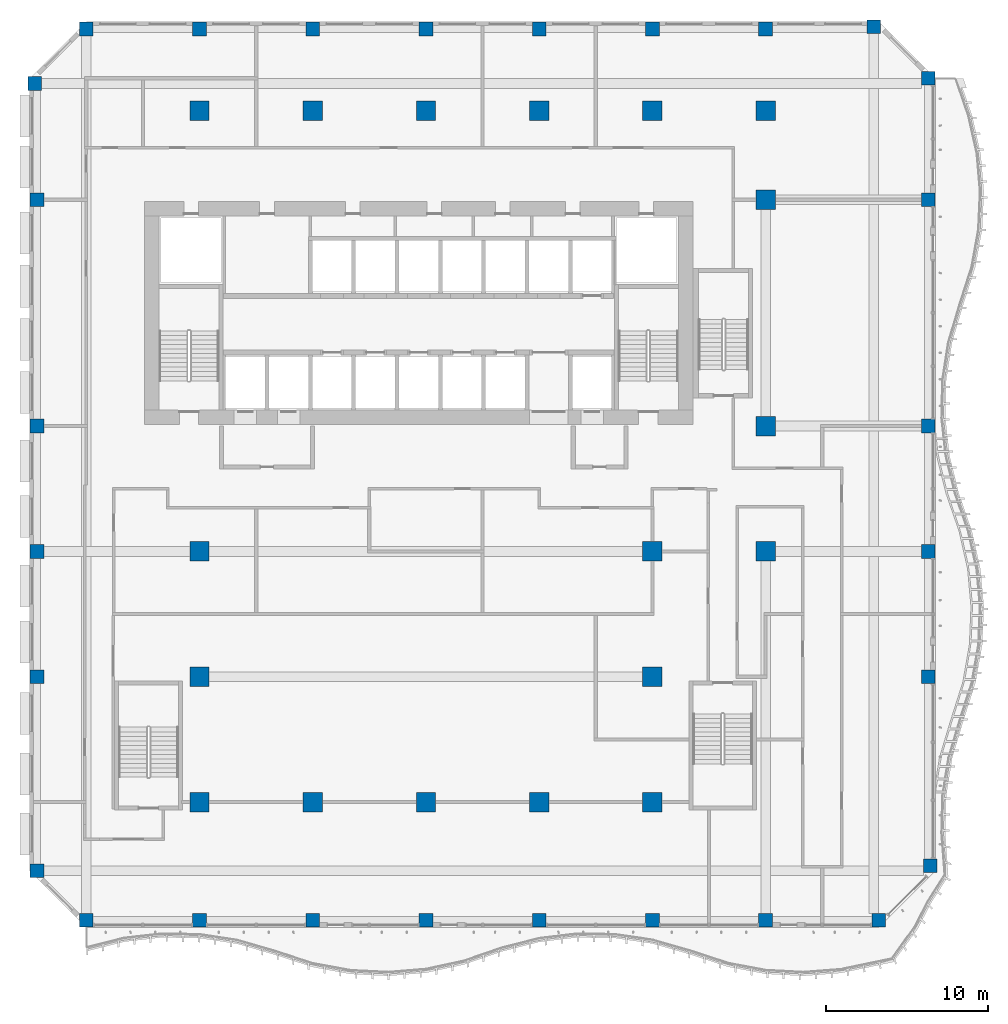
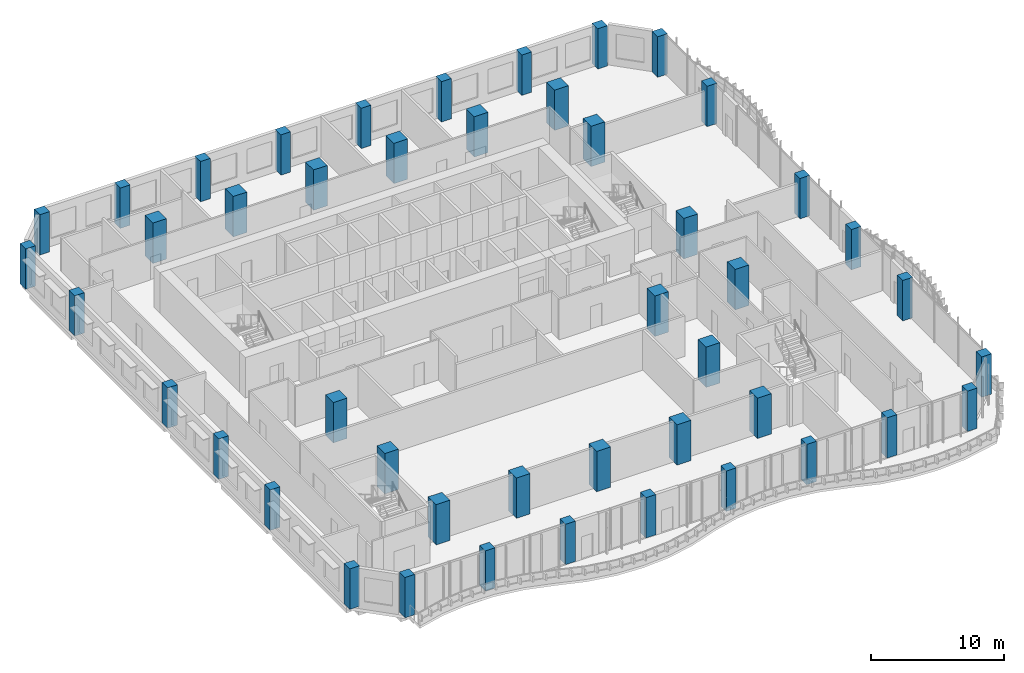
# One storey, part 1 of 25: 46 columns.
"""IFC4 building model written with IfcOpenShell, lengths in metres."""

from ifc_helpers import new_model, si_unit, direction, frame, origin, origin_2d, place, context, subcontext, project, spatial, rectangle, extrude, source, transform, mapped, material, material_profile, profile_set, type_object, element, save


model = new_model("IFC4")

# Units and contexts
model_context = context("Model", 3, precision=1e-05, world=origin(), true_north=direction((0.0, 1.0)))
body_context = subcontext(model_context, "Body", "Model", "MODEL_VIEW")
ifc_project = project(units=[si_unit("LENGTHUNIT", "METRE"), si_unit("AREAUNIT", "SQUARE_METRE"), si_unit("VOLUMEUNIT", "CUBIC_METRE"), si_unit("PLANEANGLEUNIT", "RADIAN"), si_unit("MASSUNIT", "GRAM", prefix="KILO")], contexts=[model_context])

# Site, building, storey
site_placement = place(None, origin())
site = spatial("IfcSite", under=ifc_project, at=site_placement, CompositionType="ELEMENT")
building_placement = place(site_placement, origin())
building = spatial("IfcBuilding", under=site, at=building_placement, Name="Kilnfold Tower and Market Hall", CompositionType="ELEMENT")
storey_placement = place(building_placement, frame((0.0, 0.0, 120.60009765625)))
storey = spatial("IfcBuildingStorey", under=building, at=storey_placement, Name="L28", CompositionType="ELEMENT", Elevation=120.60009765625)

# Columns
ifc_material_1 = material(Name="Concrete C80", Category="concrete")
ifc_material_profile_1 = material_profile(ifc_material_1, rectangle(XDim=0.85009765625, YDim=0.85009765625, at=origin_2d()), Name="RC 850x850")
ifc_profile_set_1 = profile_set([ifc_material_profile_1], Name="Concrete C80")
column_type_1 = type_object("IfcColumnType", Name="COLUMN 850X850 C80", PredefinedType="COLUMN", material=ifc_profile_set_1)
shared_shape_1 = source(origin(), body_context, "Body", "SweptSolid", [
    extrude(rectangle(XDim=0.85009765625, YDim=0.85009765625, at=origin_2d()), origin(), (0.0, 0.0, 1.0), 3.719970703125),
])
for number, where, z_axis, x_axis, name in (
    (1, (-22.681884765625, 29.181884765625, 0.0), (0.0, 0.0, 1.0), (1.0, 0.0, 0.0), "Column C-B3-1I"),
    (2, (-22.550048828125, -19.5, 0.0), (0.0, 0.0, 1.0), (1.0, 0.0, 0.0), "Column C-B3-1B"),
    (3, (-22.550048828125, -7.5, 0.0), (0.0, 0.0, 1.0), (1.0, 0.0, 0.0), "Column C-B3-1D"),
    (4, (-22.550048828125, 0.25, 0.0), (0.0, 0.0, 1.0), (1.0, 0.0, 0.0), "Column C-B3-1E"),
    (5, (-22.550048828125, 8.0, 0.0), (0.0, 0.0, 1.0), (1.0, 0.0, 0.0), "Column C-B3-1F"),
    (6, (-22.550048828125, 22.0, 0.0), (0.0, 0.0, 1.0), (1.0, 0.0, 0.0), "Column C-B3-1G"),
    (7, (-19.5, -22.550048828125, 0.0), (0.0, 0.0, 1.0), (1.0, 0.0, 0.0), "Column C-B3-2A"),
    (8, (-19.5, 32.550048828125, 0.0), (0.0, 0.0, 1.0), (1.0, 0.0, 0.0), "Column C-B3-2J"),
    (9, (-12.5, -22.550048828125, 0.0), (0.0, 0.0, 1.0), (1.0, 0.0, 0.0), "Column C-B3-3A"),
    (10, (-12.5, 32.550048828125, 0.0), (0.0, 0.0, 1.0), (1.0, 0.0, 0.0), "Column C-B3-3J"),
    (11, (-5.5, -22.550048828125, 0.0), (0.0, 0.0, 1.0), (1.0, 0.0, 0.0), "Column C-B3-4A"),
    (12, (-5.5, 32.550048828125, 0.0), (0.0, 0.0, 1.0), (1.0, 0.0, 0.0), "Column C-B3-4J"),
    (13, (1.5, -22.550048828125, 0.0), (0.0, 0.0, 1.0), (1.0, 0.0, 0.0), "Column C-B3-5A"),
    (14, (1.5, 32.550048828125, 0.0), (0.0, 0.0, 1.0), (1.0, 0.0, 0.0), "Column C-B3-5J"),
    (15, (8.5, -22.550048828125, 0.0), (0.0, 0.0, 1.0), (1.0, 0.0, 0.0), "Column C-B3-6A"),
    (16, (8.5, 32.550048828125, 0.0), (0.0, 0.0, 1.0), (1.0, 0.0, 0.0), "Column C-B3-6J"),
    (17, (15.5, -22.550048828125, 0.0), (0.0, 0.0, 1.0), (1.0, 0.0, 0.0), "Column C-B3-7A"),
    (18, (15.5, 32.550048828125, 0.0), (0.0, 0.0, 1.0), (1.0, 0.0, 0.0), "Column C-B3-7J"),
    (19, (22.5, -22.550048828125, 0.0), (0.0, 0.0, 1.0), (1.0, 0.0, 0.0), "Column C-B3-8A"),
    (20, (22.5, 32.550048828125, 0.0), (0.0, 0.0, 1.0), (1.0, 0.0, 0.0), "Column C-B3-8J"),
    (21, (29.181884765625, 32.681884765625, 0.0), (0.0, 0.0, 1.0), (1.0, 0.0, 0.0), "Column C-B3-9J"),
    (22, (29.5, -22.550048828125, 0.0), (0.0, 0.0, 1.0), (1.0, 0.0, 0.0), "Column C-B3-9A"),
    (23, (32.550048828125, -7.5, 0.0), (0.0, 0.0, 1.0), (1.0, 0.0, 0.0), "Column C-B3-10D"),
    (24, (32.550048828125, 0.25, 0.0), (0.0, 0.0, 1.0), (1.0, 0.0, 0.0), "Column C-B3-10E"),
    (25, (32.550048828125, 8.0, 0.0), (0.0, 0.0, 1.0), (1.0, 0.0, 0.0), "Column C-B3-10F"),
    (26, (32.550048828125, 22.0, 0.0), (0.0, 0.0, 1.0), (1.0, 0.0, 0.0), "Column C-B3-10G"),
    (27, (32.550048828125, 29.5, 0.0), (0.0, 0.0, 1.0), (1.0, 0.0, 0.0), "Column C-B3-10I"),
    (28, (32.681884765625, -19.181884765625, 0.0), (0.0, 0.0, 1.0), (1.0, 0.0, 0.0), "Column C-B3-10B"),
):
    element("IfcColumn", number, at=place(storey_placement, frame(where, z_axis=z_axis, x_axis=x_axis)), inside=storey, type_object=column_type_1, Name=name, PredefinedType="COLUMN", context=body_context, shape_type="MappedRepresentation", body=[
        mapped(shared_shape_1, transform((0.0, 0.0, 0.0))),
    ])
ifc_material_2 = material(Name="Concrete C80", Category="concrete")
ifc_material_profile_2 = material_profile(ifc_material_2, rectangle(XDim=1.199951171875, YDim=1.199951171875, at=origin_2d()), Name="RC 1200x1200")
ifc_profile_set_2 = profile_set([ifc_material_profile_2], Name="Concrete C80")
column_type_2 = type_object("IfcColumnType", Name="COLUMN 1200X1200 C80", PredefinedType="COLUMN", material=ifc_profile_set_2)
shared_shape_2 = source(origin(), body_context, "Body", "SweptSolid", [
    extrude(rectangle(XDim=1.199951171875, YDim=1.199951171875, at=origin_2d()), origin(), (0.0, 0.0, 1.0), 3.719970703125),
])
for number, where, z_axis, x_axis, name in (
    (29, (-12.5, -15.25, 0.0), (0.0, 0.0, 1.0), (1.0, 0.0, 0.0), "Column C-B3-3C"),
    (30, (-12.5, -7.5, 0.0), (0.0, 0.0, 1.0), (1.0, 0.0, 0.0), "Column C-B3-3D"),
    (31, (-12.5, 0.25, 0.0), (0.0, 0.0, 1.0), (1.0, 0.0, 0.0), "Column C-B3-3E"),
    (32, (-12.5, 27.5, 0.0), (0.0, 0.0, 1.0), (1.0, 0.0, 0.0), "Column C-B3-3H"),
    (33, (-5.5, -15.25, 0.0), (0.0, 0.0, 1.0), (1.0, 0.0, 0.0), "Column C-B3-4C"),
    (34, (-5.5, 27.5, 0.0), (0.0, 0.0, 1.0), (1.0, 0.0, 0.0), "Column C-B3-4H"),
    (35, (1.5, -15.25, 0.0), (0.0, 0.0, 1.0), (1.0, 0.0, 0.0), "Column C-B3-5C"),
    (36, (1.5, 27.5, 0.0), (0.0, 0.0, 1.0), (1.0, 0.0, 0.0), "Column C-B3-5H"),
    (37, (8.5, -15.25, 0.0), (0.0, 0.0, 1.0), (1.0, 0.0, 0.0), "Column C-B3-6C"),
    (38, (8.5, 27.5, 0.0), (0.0, 0.0, 1.0), (1.0, 0.0, 0.0), "Column C-B3-6H"),
    (39, (15.5, -15.25, 0.0), (0.0, 0.0, 1.0), (1.0, 0.0, 0.0), "Column C-B3-7C"),
    (40, (15.5, -7.5, 0.0), (0.0, 0.0, 1.0), (1.0, 0.0, 0.0), "Column C-B3-7D"),
    (41, (15.5, 0.25, 0.0), (0.0, 0.0, 1.0), (1.0, 0.0, 0.0), "Column C-B3-7E"),
    (42, (15.5, 27.5, 0.0), (0.0, 0.0, 1.0), (1.0, 0.0, 0.0), "Column C-B3-7H"),
    (43, (22.5, 0.25, 0.0), (0.0, 0.0, 1.0), (1.0, 0.0, 0.0), "Column C-B3-8E"),
    (44, (22.5, 8.0, 0.0), (0.0, 0.0, 1.0), (1.0, 0.0, 0.0), "Column C-B3-8F"),
    (45, (22.5, 22.0, 0.0), (0.0, 0.0, 1.0), (1.0, 0.0, 0.0), "Column C-B3-8G"),
    (46, (22.5, 27.5, 0.0), (0.0, 0.0, 1.0), (1.0, 0.0, 0.0), "Column C-B3-8H"),
):
    element("IfcColumn", number, at=place(storey_placement, frame(where, z_axis=z_axis, x_axis=x_axis)), inside=storey, type_object=column_type_2, Name=name, PredefinedType="COLUMN", context=body_context, shape_type="MappedRepresentation", body=[
        mapped(shared_shape_2, transform((0.0, 0.0, 0.0))),
    ])

save(model, "model.ifc")
